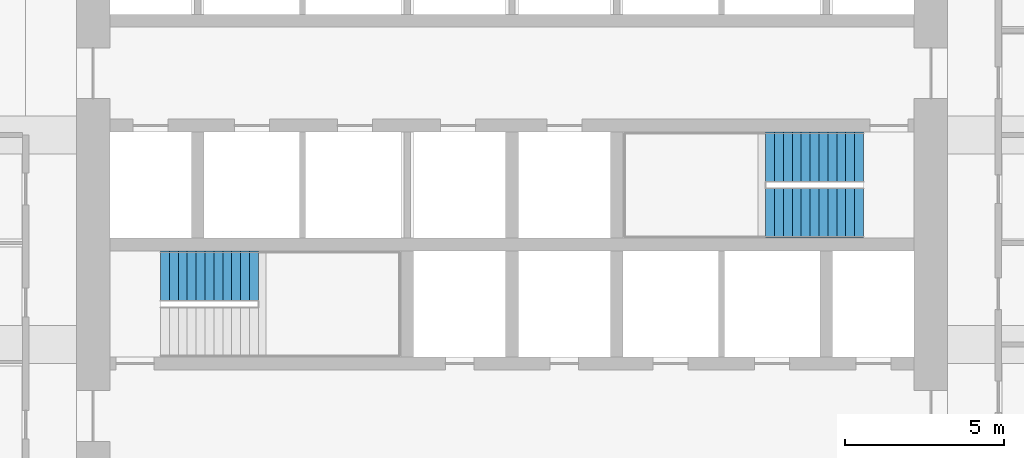
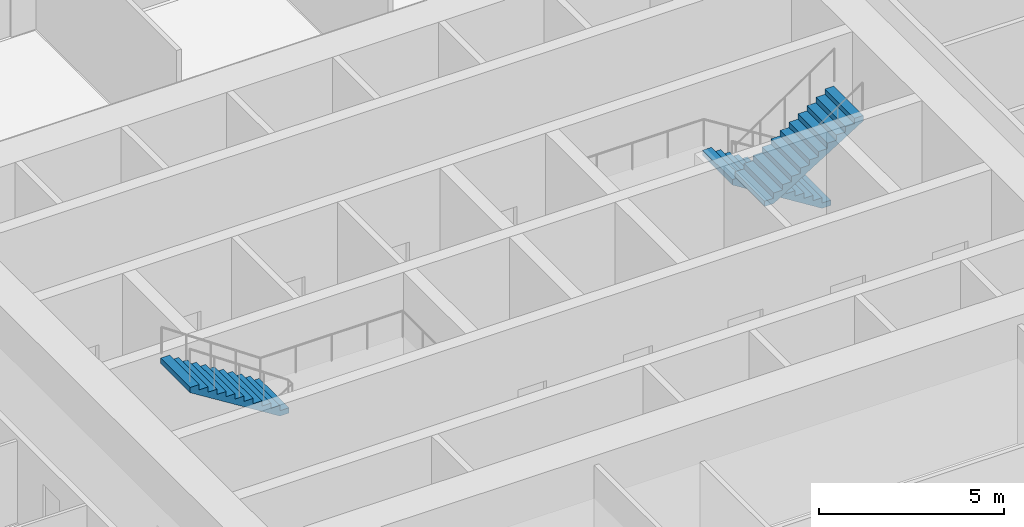
# One storey, part 21 of 27: 3 stair flights, 2 elements without a shape of their own.
"""IFC4 building model written with IfcOpenShell, lengths in metres."""

from ifc_helpers import new_model, si_unit, direction, frame, origin, place, context, subcontext, project, spatial, polyline, outline, extrude, material, type_object, element, aggregate, save


model = new_model("IFC4")

# Units and contexts
model_context = context("Model", 3, precision=1e-05, world=origin(), true_north=direction((0.0, 1.0)))
body_context = subcontext(model_context, "Body", "Model", "MODEL_VIEW")
ifc_project = project(units=[si_unit("LENGTHUNIT", "METRE"), si_unit("AREAUNIT", "SQUARE_METRE"), si_unit("VOLUMEUNIT", "CUBIC_METRE"), si_unit("PLANEANGLEUNIT", "RADIAN"), si_unit("MASSUNIT", "GRAM", prefix="KILO")], contexts=[model_context])

# Site, building, storey
site_placement = place(None, origin())
site = spatial("IfcSite", under=ifc_project, at=site_placement, CompositionType="ELEMENT")
building_placement = place(site_placement, origin())
building = spatial("IfcBuilding", under=site, at=building_placement, Name="Cobogo Forest Laboratory Tower", CompositionType="ELEMENT")
storey_placement = place(building_placement, frame((0.0, 0.0, 82.199951171875)))
storey = spatial("IfcBuildingStorey", under=building, at=storey_placement, Name="L18", CompositionType="ELEMENT", Elevation=82.199951171875)

# Stair, stair flight
ifc_material = material(Name="Precast concrete HA-40 (C40/50)", Category="concrete")
stair_type = type_object("IfcStairType", Name="ST24 exit stair 24 risers", PredefinedType="HALF_TURN_STAIR", material=ifc_material)
stair_1_placement = place(storey_placement, origin())
stair_1 = element("IfcStair", 1, at=stair_1_placement, inside=storey, type_object=stair_type, Name="Stair 1 L18 to L19", PredefinedType="HALF_TURN_STAIR")
stair_flight_type = type_object("IfcStairFlightType", Name="ST stair flight 280 going", PredefinedType="STRAIGHT", material=ifc_material)
stair_flight_1_placement = place(storey_placement, frame((18.405029296875, 21.949951171875, 2.10009765625), z_axis=(0.0, 0.0, 1.0), x_axis=(-1.0, 0.0, 0.0)))
stair_flight_1 = element("IfcStairFlight", 2, at=stair_flight_1_placement, type_object=stair_flight_type, Name="ST1 flight 2", NumberOfRisers=12, NumberOfTreads=11, PredefinedType="STRAIGHT", RiserHeight=0.175, TreadLength=0.28, context=body_context, shape_type="SweptSolid", body=[
    extrude(outline(polyline([(0.0, 0.0), (0.0, 0.175048828125), (0.280029296875, 0.175048828125), (0.280029296875, 0.35009765625), (0.56005859375, 0.35009765625), (0.56005859375, 0.52490234375), (0.840087890625, 0.52490234375), (0.840087890625, 0.699951171875), (1.1201171875, 0.699951171875), (1.1201171875, 0.875), (1.39990234375, 0.875), (1.39990234375, 1.050048828125), (1.679931640625, 1.050048828125), (1.679931640625, 1.22509765625), (1.9599609375, 1.22509765625), (1.9599609375, 1.39990234375), (2.239990234375, 1.39990234375), (2.239990234375, 1.574951171875), (2.52001953125, 1.574951171875), (2.52001953125, 1.75), (2.800048828125, 1.75), (2.800048828125, 1.925048828125), (3.080078125, 1.925048828125), (3.080078125, 2.10009765625), (3.080078125, 1.748291015625), (0.28271484375, 0.0), (0.0, 0.0)])), frame((0.0, 0.800048828125, 0.0), z_axis=(0.0, -1.0, 0.0), x_axis=(1.0, 0.0, 0.0)), (0.0, 0.0, 1.0), 1.60009765625),
])
aggregate(stair_1, [stair_flight_1])

# Stair, stair flights
stair_2_placement = place(storey_placement, origin())
stair_2 = element("IfcStair", 3, at=stair_2_placement, inside=storey, type_object=stair_type, Name="Stair 2 L18 to L19", PredefinedType="HALF_TURN_STAIR")
stair_flight_2_placement = place(storey_placement, frame((37.47509765625, 25.699951171875, 0.0), z_axis=(0.0, 0.0, 1.0), x_axis=(-1.0, 0.0, 0.0)))
stair_flight_2 = element("IfcStairFlight", 4, at=stair_flight_2_placement, type_object=stair_flight_type, Name="ST2 flight 1", NumberOfRisers=12, NumberOfTreads=11, PredefinedType="STRAIGHT", RiserHeight=0.175, TreadLength=0.28, context=body_context, shape_type="SweptSolid", body=[
    extrude(outline(polyline([(0.0, 0.0), (0.0, 0.175048828125), (0.280029296875, 0.175048828125), (0.280029296875, 0.35009765625), (0.56005859375, 0.35009765625), (0.56005859375, 0.52490234375), (0.840087890625, 0.52490234375), (0.840087890625, 0.699951171875), (1.1201171875, 0.699951171875), (1.1201171875, 0.875), (1.39990234375, 0.875), (1.39990234375, 1.050048828125), (1.679931640625, 1.050048828125), (1.679931640625, 1.22509765625), (1.9599609375, 1.22509765625), (1.9599609375, 1.39990234375), (2.239990234375, 1.39990234375), (2.239990234375, 1.574951171875), (2.52001953125, 1.574951171875), (2.52001953125, 1.75), (2.800048828125, 1.75), (2.800048828125, 1.925048828125), (3.080078125, 1.925048828125), (3.080078125, 2.10009765625), (3.080078125, 1.748291015625), (0.28271484375, 0.0), (0.0, 0.0)])), frame((0.0, 0.800048828125, 0.0), z_axis=(0.0, -1.0, 0.0), x_axis=(1.0, 0.0, 0.0)), (0.0, 0.0, 1.0), 1.60009765625),
])
stair_flight_3_placement = place(storey_placement, frame((34.39501953125, 23.949951171875, 2.10009765625), z_axis=(0.0, 0.0, 1.0), x_axis=(1.0, 0.0, 0.0)))
stair_flight_3 = element("IfcStairFlight", 5, at=stair_flight_3_placement, type_object=stair_flight_type, Name="ST2 flight 2", NumberOfRisers=12, NumberOfTreads=11, PredefinedType="STRAIGHT", RiserHeight=0.175, TreadLength=0.28, context=body_context, shape_type="SweptSolid", body=[
    extrude(outline(polyline([(0.0, 0.0), (0.0, 0.175048828125), (0.280029296875, 0.175048828125), (0.280029296875, 0.35009765625), (0.56005859375, 0.35009765625), (0.56005859375, 0.52490234375), (0.840087890625, 0.52490234375), (0.840087890625, 0.699951171875), (1.1201171875, 0.699951171875), (1.1201171875, 0.875), (1.39990234375, 0.875), (1.39990234375, 1.050048828125), (1.679931640625, 1.050048828125), (1.679931640625, 1.22509765625), (1.9599609375, 1.22509765625), (1.9599609375, 1.39990234375), (2.239990234375, 1.39990234375), (2.239990234375, 1.574951171875), (2.52001953125, 1.574951171875), (2.52001953125, 1.75), (2.800048828125, 1.75), (2.800048828125, 1.925048828125), (3.080078125, 1.925048828125), (3.080078125, 2.10009765625), (3.080078125, 1.748291015625), (0.28271484375, 0.0), (0.0, 0.0)])), frame((0.0, 0.800048828125, 0.0), z_axis=(0.0, -1.0, 0.0), x_axis=(1.0, 0.0, 0.0)), (0.0, 0.0, 1.0), 1.60009765625),
])
aggregate(stair_2, [stair_flight_2, stair_flight_3])

save(model, "model.ifc")
